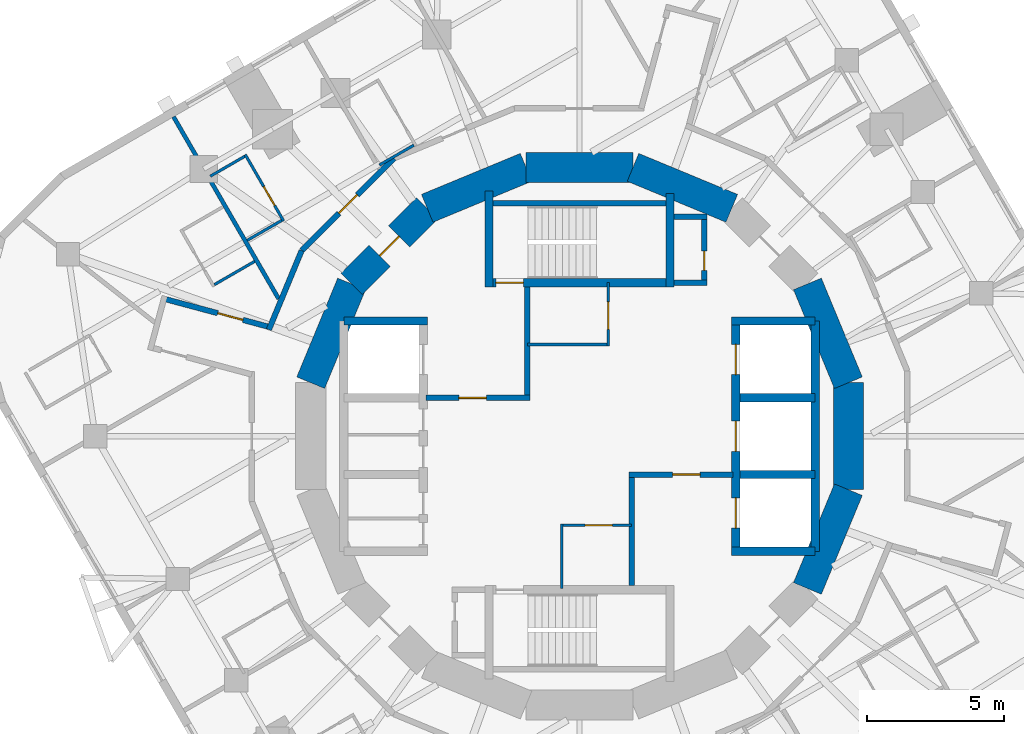
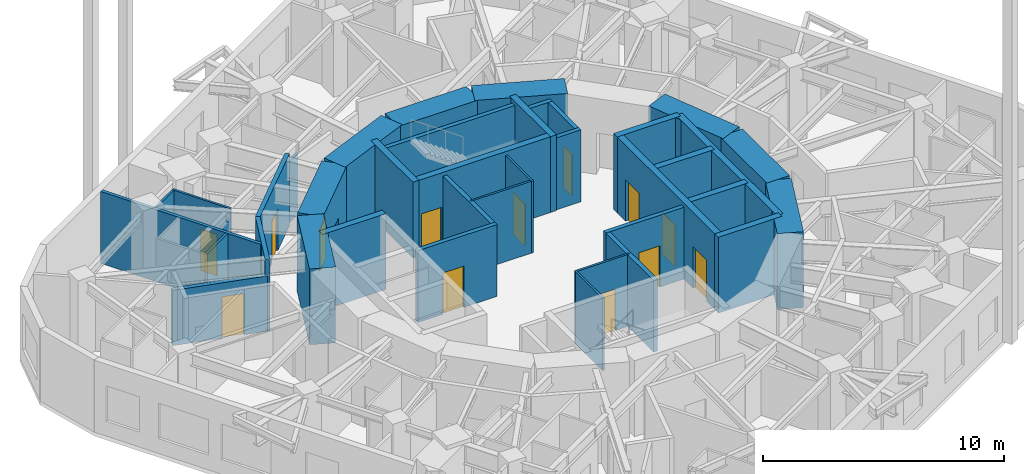
# One storey, part 6 of 10: 39 walls, 13 doors, 13 openings.
"""IFC4 building model written with IfcOpenShell, lengths in metres."""

from ifc_helpers import new_model, si_unit, direction, frame, frame_2d, origin, place, context, subcontext, project, spatial, rectangle, extrude, material, layer, layer_set, type_object, element, fill, save


model = new_model("IFC4")

# Units and contexts
model_context = context("Model", 3, precision=1e-05, world=origin(), true_north=direction((0.0, 1.0)))
body_context = subcontext(model_context, "Body", "Model", "MODEL_VIEW")
ifc_project = project(units=[si_unit("LENGTHUNIT", "METRE"), si_unit("AREAUNIT", "SQUARE_METRE"), si_unit("VOLUMEUNIT", "CUBIC_METRE"), si_unit("PLANEANGLEUNIT", "RADIAN"), si_unit("MASSUNIT", "GRAM", prefix="KILO")], contexts=[model_context])

# Site, building, storey
site_placement = place(None, origin())
site = spatial("IfcSite", under=ifc_project, at=site_placement, CompositionType="ELEMENT")
building_placement = place(site_placement, origin())
building = spatial("IfcBuilding", under=site, at=building_placement, Name="Nakasero Lantern House", CompositionType="ELEMENT")
storey_placement = place(building_placement, frame((0.0, 0.0, 223.10009765625)))
storey = spatial("IfcBuildingStorey", under=building, at=storey_placement, Name="L54", CompositionType="ELEMENT", Elevation=223.10009765625)

# Wall, openings, doors
ifc_material_1 = material(Name="Concrete C50/60", Category="concrete")
ifc_layer_1 = layer(ifc_material_1, 0.300048828125)
ifc_layer_set_1 = layer_set([ifc_layer_1], Name="Core inner wall 300")
wall_type_1 = type_object("IfcWallType", Name="Core inner wall 300", PredefinedType="SHEAR", material=ifc_layer_set_1)
wall_1_placement = place(storey_placement, frame((5.699951171875, -4.199951171875, 0.0), z_axis=(0.0, 0.0, 1.0), x_axis=(0.0, 1.0, 0.0)))
wall_1 = element("IfcWall", 1, at=wall_1_placement, inside=storey, type_object=wall_type_1, Name="Core inner wall L54 LE", PredefinedType="SHEAR", context=body_context, shape_type="SweptSolid", body=[
    extrude(rectangle(XDim=8.39990234375, YDim=0.300048828125, at=frame_2d((4.199951171875, 0.0))), origin(), (0.0, 0.0, 1.0), 3.849853515625),
])
opening_1_placement = place(wall_1_placement, frame((0.85009765625, 0.0, 0.0)))
opening_1 = element("IfcOpeningElement", 2, at=opening_1_placement, cuts=wall_1, Name="Opening LD", PredefinedType="OPENING", context=body_context, shape_type="SweptSolid", body=[
    extrude(rectangle(XDim=1.10009765625, YDim=2.10009765625, at=frame_2d((0.550048828125, 1.050048828125))), frame((0.0, 0.169921875, 0.0), z_axis=(0.0, -1.0, 0.0), x_axis=(1.0, 0.0, 0.0)), (0.0, 0.0, 1.0), 0.340087890625),
])
opening_2_placement = place(wall_1_placement, frame((3.64990234375, 0.0, 0.0)))
opening_2 = element("IfcOpeningElement", 3, at=opening_2_placement, cuts=wall_1, Name="Opening LD", PredefinedType="OPENING", context=body_context, shape_type="SweptSolid", body=[
    extrude(rectangle(XDim=1.10009765625, YDim=2.10009765625, at=frame_2d((0.550048828125, 1.050048828125))), frame((0.0, 0.169921875, 0.0), z_axis=(0.0, -1.0, 0.0), x_axis=(1.0, 0.0, 0.0)), (0.0, 0.0, 1.0), 0.340087890625),
])
opening_3_placement = place(wall_1_placement, frame((6.449951171875, 0.0, 0.0)))
opening_3 = element("IfcOpeningElement", 4, at=opening_3_placement, cuts=wall_1, Name="Opening LD", PredefinedType="OPENING", context=body_context, shape_type="SweptSolid", body=[
    extrude(rectangle(XDim=1.10009765625, YDim=2.10009765625, at=frame_2d((0.550048828125, 1.050048828125))), frame((0.0, 0.169921875, 0.0), z_axis=(0.0, -1.0, 0.0), x_axis=(1.0, 0.0, 0.0)), (0.0, 0.0, 1.0), 0.340087890625),
])
ifc_material_2 = material(Name="Steel S355", Category="steel")
door_type_1 = type_object("IfcDoorType", Name="Lift landing door E120 1100", OperationType="SLIDING_TO_LEFT", PredefinedType="DOOR", material=ifc_material_2)
door_1_placement = place(opening_1_placement, origin())
door_1 = element("IfcDoor", 5, at=door_1_placement, inside=storey, type_object=door_type_1, Name="Lift landing door LE1", OperationType="SLIDING_TO_LEFT", OverallHeight=2.10009765625, OverallWidth=1.10009765625, PredefinedType="DOOR", context=body_context, shape_type="SweptSolid", body=[
    extrude(rectangle(XDim=1.10009765625, YDim=2.10009765625, at=frame_2d((0.550048828125, 1.050048828125))), frame((0.0, 0.02490234375, 0.0), z_axis=(0.0, -1.0, 0.0), x_axis=(1.0, 0.0, 0.0)), (0.0, 0.0, 1.0), 0.050048828125),
])
fill(opening_1, door_1)
door_2_placement = place(opening_2_placement, origin())
door_2 = element("IfcDoor", 6, at=door_2_placement, inside=storey, type_object=door_type_1, Name="Lift landing door LE2", OperationType="SLIDING_TO_LEFT", OverallHeight=2.10009765625, OverallWidth=1.10009765625, PredefinedType="DOOR", context=body_context, shape_type="SweptSolid", body=[
    extrude(rectangle(XDim=1.10009765625, YDim=2.10009765625, at=frame_2d((0.550048828125, 1.050048828125))), frame((0.0, 0.02490234375, 0.0), z_axis=(0.0, -1.0, 0.0), x_axis=(1.0, 0.0, 0.0)), (0.0, 0.0, 1.0), 0.050048828125),
])
fill(opening_2, door_2)
door_3_placement = place(opening_3_placement, origin())
door_3 = element("IfcDoor", 7, at=door_3_placement, inside=storey, type_object=door_type_1, Name="Lift landing door LE3", OperationType="SLIDING_TO_LEFT", OverallHeight=2.10009765625, OverallWidth=1.10009765625, PredefinedType="DOOR", context=body_context, shape_type="SweptSolid", body=[
    extrude(rectangle(XDim=1.10009765625, YDim=2.10009765625, at=frame_2d((0.550048828125, 1.050048828125))), frame((0.0, 0.02490234375, 0.0), z_axis=(0.0, -1.0, 0.0), x_axis=(1.0, 0.0, 0.0)), (0.0, 0.0, 1.0), 0.050048828125),
])
fill(opening_3, door_3)

# Walls
for number, where, z_axis, x_axis, name in (
    (8, (-8.60009765625, 4.199951171875, 0.0), (0.0, 0.0, 1.0), (1.0, 0.0, 0.0), "Core inner wall L54 LWN"),
    (9, (5.550048828125, 4.199951171875, 0.0), (0.0, 0.0, 1.0), (1.0, 0.0, 0.0), "Core inner wall L54 LEN"),
    (10, (5.550048828125, -4.199951171875, 0.0), (0.0, 0.0, 1.0), (1.0, 0.0, 0.0), "Core inner wall L54 LES"),
):
    element("IfcWall", number, at=place(storey_placement, frame(where, z_axis=z_axis, x_axis=x_axis)), inside=storey, type_object=wall_type_1, Name=name, PredefinedType="SHEAR", context=body_context, shape_type="SweptSolid", body=[
        extrude(rectangle(XDim=3.050048828125, YDim=0.300048828125, at=frame_2d((1.52490234375, 0.0))), origin(), (0.0, 0.0, 1.0), 3.849853515625),
    ])
wall_2_placement = place(storey_placement, frame((8.60009765625, -4.199951171875, 0.0), z_axis=(0.0, 0.0, 1.0), x_axis=(0.0, 1.0, 0.0)))
element("IfcWall", 11, at=wall_2_placement, inside=storey, type_object=wall_type_1, Name="Core inner wall L54 LEB", PredefinedType="SHEAR", context=body_context, shape_type="SweptSolid", body=[
    extrude(rectangle(XDim=8.39990234375, YDim=0.300048828125, at=frame_2d((4.199951171875, 0.0))), origin(), (0.0, 0.0, 1.0), 3.849853515625),
])
for number, where, z_axis, x_axis, name in (
    (12, (5.85009765625, -1.39990234375, 0.0), (0.0, 0.0, 1.0), (1.0, 0.0, 0.0), "Core inner wall L54 LE1"),
    (13, (5.85009765625, 1.39990234375, 0.0), (0.0, 0.0, 1.0), (1.0, 0.0, 0.0), "Core inner wall L54 LE2"),
):
    element("IfcWall", number, at=place(storey_placement, frame(where, z_axis=z_axis, x_axis=x_axis)), inside=storey, type_object=wall_type_1, Name=name, PredefinedType="SHEAR", context=body_context, shape_type="SweptSolid", body=[
        extrude(rectangle(XDim=2.75, YDim=0.300048828125, at=frame_2d((1.375, 0.0))), origin(), (0.0, 0.0, 1.0), 3.849853515625),
    ])

# Wall, opening, door
wall_3_placement = place(storey_placement, frame((-3.449951171875, 5.60009765625, 0.0), z_axis=(0.0, 0.0, 1.0), x_axis=(1.0, 0.0, 0.0)))
wall_3 = element("IfcWall", 14, at=wall_3_placement, inside=storey, type_object=wall_type_1, Name="Core inner wall L54 SN", PredefinedType="SHEAR", context=body_context, shape_type="SweptSolid", body=[
    extrude(rectangle(XDim=6.89990234375, YDim=0.300048828125, at=frame_2d((3.449951171875, 0.0))), origin(), (0.0, 0.0, 1.0), 3.849853515625),
])
opening_4_placement = place(wall_3_placement, frame((0.39990234375, 0.0, 0.0)))
opening_4 = element("IfcOpeningElement", 15, at=opening_4_placement, cuts=wall_3, Name="Opening D05", PredefinedType="OPENING", context=body_context, shape_type="SweptSolid", body=[
    extrude(rectangle(XDim=1.0, YDim=2.10009765625, at=frame_2d((0.5, 1.050048828125))), frame((0.0, 0.169921875, 0.0), z_axis=(0.0, -1.0, 0.0), x_axis=(1.0, 0.0, 0.0)), (0.0, 0.0, 1.0), 0.340087890625),
])
ifc_material_3 = material(Name="Timber C24", Category="wood")
door_type_2 = type_object("IfcDoorType", Name="Core door FD60S 1000", OperationType="SINGLE_SWING_LEFT", PredefinedType="DOOR", material=ifc_material_3)
door_4_placement = place(opening_4_placement, origin())
door_4 = element("IfcDoor", 16, at=door_4_placement, inside=storey, type_object=door_type_2, Name="Door L54 D-ST1", OperationType="SINGLE_SWING_LEFT", OverallHeight=2.10009765625, OverallWidth=1.0, PredefinedType="DOOR", context=body_context, shape_type="SweptSolid", body=[
    extrude(rectangle(XDim=1.0, YDim=2.10009765625, at=frame_2d((0.5, 1.050048828125))), frame((0.0, 0.02490234375, 0.0), z_axis=(0.0, -1.0, 0.0), x_axis=(1.0, 0.0, 0.0)), (0.0, 0.0, 1.0), 0.050048828125),
])
fill(opening_4, door_4)

# Walls
wall_4_placement = place(storey_placement, frame((-3.300048828125, 5.449951171875, 0.0), z_axis=(0.0, 0.0, 1.0), x_axis=(0.0, 1.0, 0.0)))
element("IfcWall", 17, at=wall_4_placement, inside=storey, type_object=wall_type_1, Name="Core inner wall L54 SNW", PredefinedType="SHEAR", context=body_context, shape_type="SweptSolid", body=[
    extrude(rectangle(XDim=3.5, YDim=0.300048828125, at=frame_2d((1.75, 0.0))), origin(), (0.0, 0.0, 1.0), 3.849853515625),
])
wall_5_placement = place(storey_placement, frame((3.300048828125, 5.449951171875, 0.0), z_axis=(0.0, 0.0, 1.0), x_axis=(0.0, 1.0, 0.0)))
element("IfcWall", 18, at=wall_5_placement, inside=storey, type_object=wall_type_1, Name="Core inner wall L54 SNE", PredefinedType="SHEAR", context=body_context, shape_type="SweptSolid", body=[
    extrude(rectangle(XDim=3.400146484375, YDim=0.300048828125, at=frame_2d((1.7001953125, 0.0))), origin(), (0.0, 0.0, 1.0), 3.849853515625),
])
ifc_material_4 = material(Name="Blockwork", Category="masonry")
ifc_layer_2 = layer(ifc_material_4, 0.10009765625)
ifc_layer_set_2 = layer_set([ifc_layer_2], Name="Core room wall 100")
wall_type_2 = type_object("IfcWallType", Name="Core room wall 100", PredefinedType="PARTITIONING", material=ifc_layer_set_2)
wall_6_placement = place(storey_placement, frame((-1.89990234375, 3.35009765625, 0.0), z_axis=(0.0, 0.0, 1.0), x_axis=(1.0, 0.0, 0.0)))
element("IfcWall", 19, at=wall_6_placement, inside=storey, type_object=wall_type_2, Name="Core room wall L54 CR-NES", PredefinedType="PARTITIONING", context=body_context, shape_type="SweptSolid", body=[
    extrude(rectangle(XDim=3.0, YDim=0.10009765625, at=frame_2d((1.5, 0.0))), origin(), (0.0, 0.0, 1.0), 3.64990234375),
])

# Wall, opening, door
wall_7_placement = place(storey_placement, frame((1.050048828125, 3.300048828125, 0.0), z_axis=(0.0, 0.0, 1.0), x_axis=(0.0, 1.0, 0.0)))
wall_7 = element("IfcWall", 20, at=wall_7_placement, inside=storey, type_object=wall_type_2, Name="Core room wall L54 CR-NEE", PredefinedType="PARTITIONING", context=body_context, shape_type="SweptSolid", body=[
    extrude(rectangle(XDim=2.300048828125, YDim=0.10009765625, at=frame_2d((1.14990234375, 0.0))), origin(), (0.0, 0.0, 1.0), 3.64990234375),
])
opening_5_placement = place(wall_7_placement, frame((0.60009765625, 0.0, 0.0)))
opening_5 = element("IfcOpeningElement", 21, at=opening_5_placement, cuts=wall_7, Name="Opening D13", PredefinedType="OPENING", context=body_context, shape_type="SweptSolid", body=[
    extrude(rectangle(XDim=1.0, YDim=2.10009765625, at=frame_2d((0.5, 1.050048828125))), frame((0.0, 0.070068359375, 0.0), z_axis=(0.0, -1.0, 0.0), x_axis=(1.0, 0.0, 0.0)), (0.0, 0.0, 1.0), 0.14013671875),
])
ifc_material_5 = material(Name="Steel S355", Category="steel")
door_type_3 = type_object("IfcDoorType", Name="Plant room door FD60 1000", OperationType="SINGLE_SWING_LEFT", PredefinedType="DOOR", material=ifc_material_5)
door_5_placement = place(opening_5_placement, origin())
door_5 = element("IfcDoor", 22, at=door_5_placement, inside=storey, type_object=door_type_3, Name="Door L54 D-CR-NE", OperationType="SINGLE_SWING_LEFT", OverallHeight=2.10009765625, OverallWidth=1.0, PredefinedType="DOOR", context=body_context, shape_type="SweptSolid", body=[
    extrude(rectangle(XDim=1.0, YDim=2.10009765625, at=frame_2d((0.5, 1.050048828125))), frame((0.0, 0.02490234375, 0.0), z_axis=(0.0, -1.0, 0.0), x_axis=(1.0, 0.0, 0.0)), (0.0, 0.0, 1.0), 0.050048828125),
])
fill(opening_5, door_5)

wall_8_placement = place(storey_placement, frame((-0.699951171875, -3.25, 0.0), z_axis=(0.0, 0.0, 1.0), x_axis=(1.0, 0.0, 0.0)))
wall_8 = element("IfcWall", 23, at=wall_8_placement, inside=storey, type_object=wall_type_2, Name="Core room wall L54 CR-SWN", PredefinedType="PARTITIONING", context=body_context, shape_type="SweptSolid", body=[
    extrude(rectangle(XDim=2.599853515625, YDim=0.10009765625, at=frame_2d((1.2998046875, 0.0))), origin(), (0.0, 0.0, 1.0), 3.64990234375),
])
opening_6_placement = place(wall_8_placement, frame((0.89990234375, 0.0, 0.0)))
opening_6 = element("IfcOpeningElement", 24, at=opening_6_placement, cuts=wall_8, Name="Opening D07", PredefinedType="OPENING", context=body_context, shape_type="SweptSolid", body=[
    extrude(rectangle(XDim=1.0, YDim=2.10009765625, at=frame_2d((0.5, 1.050048828125))), frame((0.0, 0.070068359375, 0.0), z_axis=(0.0, -1.0, 0.0), x_axis=(1.0, 0.0, 0.0)), (0.0, 0.0, 1.0), 0.14013671875),
])
ifc_material_6 = material(Name="Timber C24", Category="wood")
door_type_4 = type_object("IfcDoorType", Name="Room door FD30S 1000", OperationType="SINGLE_SWING_LEFT", PredefinedType="DOOR", material=ifc_material_6)
door_6_placement = place(opening_6_placement, origin())
door_6 = element("IfcDoor", 25, at=door_6_placement, inside=storey, type_object=door_type_4, Name="Door L54 D-CR-SW", OperationType="SINGLE_SWING_RIGHT", OverallHeight=2.10009765625, OverallWidth=1.0, PredefinedType="DOOR", context=body_context, shape_type="SweptSolid", body=[
    extrude(rectangle(XDim=1.0, YDim=2.10009765625, at=frame_2d((0.5, 1.050048828125))), frame((0.0, 0.02490234375, 0.0), z_axis=(0.0, -1.0, 0.0), x_axis=(1.0, 0.0, 0.0)), (0.0, 0.0, 1.0), 0.050048828125),
])
fill(opening_6, door_6)

# Walls
wall_9_placement = place(storey_placement, frame((-0.64990234375, -5.550048828125, 0.0), z_axis=(0.0, 0.0, 1.0), x_axis=(0.0, 1.0, 0.0)))
element("IfcWall", 26, at=wall_9_placement, inside=storey, type_object=wall_type_2, Name="Core room wall L54 CR-SWW", PredefinedType="PARTITIONING", context=body_context, shape_type="SweptSolid", body=[
    extrude(rectangle(XDim=2.35009765625, YDim=0.10009765625, at=frame_2d((1.175048828125, 0.0))), origin(), (0.0, 0.0, 1.0), 3.64990234375),
])
ifc_material_7 = material(Name="Concrete C50/60", Category="concrete")
ifc_layer_3 = layer(ifc_material_7, 1.10009765625)
ifc_layer_set_3 = layer_set([ifc_layer_3], Name="Core wall 1100")
wall_type_3 = type_object("IfcWallType", Name="Core wall 1100", PredefinedType="SHEAR", material=ifc_layer_set_3)
for number, where, z_axis, x_axis, name in (
    (27, (9.807861328125, 1.950927734375, 0.0), (0.0, 0.0, 1.0), (-0.382690736062, 0.923876507187, 0.0), "Core wall L54 facet 1"),
    (28, (5.5556640625, 8.314697265625, 0.0), (0.0, 0.0, 1.0), (-0.923876507187, 0.382690736062, 0.0), "Core wall L54 facet 3"),
    (29, (1.950927734375, 9.807861328125, 0.0), (0.0, 0.0, 1.0), (-1.0, 0.0, 0.0), "Core wall L54 facet 4"),
    (30, (-1.950927734375, 9.807861328125, 0.0), (0.0, 0.0, 1.0), (-0.923876507187, -0.382690736062, 0.0), "Core wall L54 facet 5"),
):
    element("IfcWall", number, at=place(storey_placement, frame(where, z_axis=z_axis, x_axis=x_axis)), inside=storey, type_object=wall_type_3, Name=name, PredefinedType="SHEAR", context=body_context, shape_type="SweptSolid", body=[
        extrude(rectangle(XDim=3.90185546875, YDim=1.10009765625, at=frame_2d((1.950927734375, 0.0))), origin(), (0.0, 0.0, 1.0), 3.849853515625),
    ])

# Wall, opening, door
wall_10_placement = place(storey_placement, frame((-5.5556640625, 8.314697265625, 0.0), z_axis=(0.0, 0.0, 1.0), x_axis=(-0.707106781187, -0.707106781187, 0.0)))
wall_10 = element("IfcWall", 31, at=wall_10_placement, inside=storey, type_object=wall_type_3, Name="Core wall L54 facet 6", PredefinedType="SHEAR", context=body_context, shape_type="SweptSolid", body=[
    extrude(rectangle(XDim=3.90185546875, YDim=1.10009765625, at=frame_2d((1.950927734375, 0.0))), origin(), (0.0, 0.0, 1.0), 3.849853515625),
])
opening_7_placement = place(wall_10_placement, frame((1.450927734375, 0.0, 0.0)))
opening_7 = element("IfcOpeningElement", 32, at=opening_7_placement, cuts=wall_10, Name="Opening D05", PredefinedType="OPENING", context=body_context, shape_type="SweptSolid", body=[
    extrude(rectangle(XDim=1.0, YDim=2.10009765625, at=frame_2d((0.5, 1.050048828125))), frame((0.0, 0.570068359375, 0.0), z_axis=(0.0, -1.0, 0.0), x_axis=(1.0, 0.0, 0.0)), (0.0, 0.0, 1.0), 1.14013671875),
])
door_7_placement = place(opening_7_placement, origin())
door_7 = element("IfcDoor", 33, at=door_7_placement, inside=storey, type_object=door_type_2, Name="Door L54 D-CORE06", OperationType="SINGLE_SWING_LEFT", OverallHeight=2.10009765625, OverallWidth=1.0, PredefinedType="DOOR", context=body_context, shape_type="SweptSolid", body=[
    extrude(rectangle(XDim=1.0, YDim=2.10009765625, at=frame_2d((0.5, 1.050048828125))), frame((0.0, 0.02490234375, 0.0), z_axis=(0.0, -1.0, 0.0), x_axis=(1.0, 0.0, 0.0)), (0.0, 0.0, 1.0), 0.050048828125),
])
fill(opening_7, door_7)

# Walls
for number, where, z_axis, x_axis, name in (
    (34, (-8.314697265625, 5.5556640625, 0.0), (0.0, 0.0, 1.0), (-0.382690736062, -0.923876507187, 0.0), "Core wall L54 facet 7"),
    (35, (8.314697265625, -5.5556640625, 0.0), (0.0, 0.0, 1.0), (0.382690736062, 0.923876507187, 0.0), "Core wall L54 facet 15"),
    (36, (9.807861328125, -1.950927734375, 0.0), (0.0, 0.0, 1.0), (0.0, 1.0, 0.0), "Core wall L54 facet 16"),
):
    element("IfcWall", number, at=place(storey_placement, frame(where, z_axis=z_axis, x_axis=x_axis)), inside=storey, type_object=wall_type_3, Name=name, PredefinedType="SHEAR", context=body_context, shape_type="SweptSolid", body=[
        extrude(rectangle(XDim=3.90185546875, YDim=1.10009765625, at=frame_2d((1.950927734375, 0.0))), origin(), (0.0, 0.0, 1.0), 3.849853515625),
    ])
ifc_material_8 = material(Name="Blockwork", Category="masonry")
ifc_layer_4 = layer(ifc_material_8, 0.199951171875)
ifc_layer_set_4 = layer_set([ifc_layer_4], Name="Corridor wall 200")
wall_type_4 = type_object("IfcWallType", Name="Corridor wall 200", PredefinedType="PARTITIONING", material=ifc_layer_set_4)
wall_11_placement = place(storey_placement, frame((-11.33349609375, 3.8857421875, 0.0), z_axis=(0.0, 0.0, 1.0), x_axis=(0.382634616682, 0.923899751118, 0.0)))
element("IfcWall", 37, at=wall_11_placement, inside=storey, type_object=wall_type_4, Name="Corridor wall L54 RC09a", PredefinedType="PARTITIONING", context=body_context, shape_type="SweptSolid", body=[
    extrude(rectangle(XDim=3.125732421875, YDim=0.199951171875, at=frame_2d((1.56298828125, 0.0))), origin(), (0.0, 0.0, 1.0), 3.64990234375),
])

# Wall, opening, door
wall_12_placement = place(storey_placement, frame((-10.137451171875, 6.773681640625, 0.0), z_axis=(0.0, 0.0, 1.0), x_axis=(0.707106781187, 0.707106781187, 0.0)))
wall_12 = element("IfcWall", 38, at=wall_12_placement, inside=storey, type_object=wall_type_4, Name="Corridor wall L54 RC10a", PredefinedType="PARTITIONING", context=body_context, shape_type="SweptSolid", body=[
    extrude(rectangle(XDim=4.757080078125, YDim=0.199951171875, at=frame_2d((2.37841796875, 0.0))), origin(), (0.0, 0.0, 1.0), 3.64990234375),
])
opening_8_placement = place(wall_12_placement, frame((1.919921875, 0.0, 0.0)))
opening_8 = element("IfcOpeningElement", 39, at=opening_8_placement, cuts=wall_12, Name="Opening D01", PredefinedType="OPENING", context=body_context, shape_type="SweptSolid", body=[
    extrude(rectangle(XDim=0.949951171875, YDim=2.10009765625, at=frame_2d((0.47509765625, 1.050048828125))), frame((0.0, 0.119873046875, 0.0), z_axis=(0.0, -1.0, 0.0), x_axis=(1.0, 0.0, 0.0)), (0.0, 0.0, 1.0), 0.239990234375),
])
ifc_material_9 = material(Name="Timber C24", Category="wood")
door_type_5 = type_object("IfcDoorType", Name="Bedroom door FD30S 950", OperationType="SINGLE_SWING_LEFT", PredefinedType="DOOR", material=ifc_material_9)
door_8_placement = place(opening_8_placement, origin())
door_8 = element("IfcDoor", 40, at=door_8_placement, inside=storey, type_object=door_type_5, Name="Door L54 D1-04", OperationType="SINGLE_SWING_RIGHT", OverallHeight=2.10009765625, OverallWidth=0.949951171875, PredefinedType="DOOR", context=body_context, shape_type="SweptSolid", body=[
    extrude(rectangle(XDim=0.949951171875, YDim=2.10009765625, at=frame_2d((0.47509765625, 1.050048828125))), frame((0.0, 0.02490234375, 0.0), z_axis=(0.0, -1.0, 0.0), x_axis=(1.0, 0.0, 0.0)), (0.0, 0.0, 1.0), 0.050048828125),
])
fill(opening_8, door_8)

wall_13_placement = place(storey_placement, frame((-11.294921875, 3.97900390625, 0.0), z_axis=(0.0, 0.0, 1.0), x_axis=(-0.965936102951, 0.258780689033, 0.0)))
wall_13 = element("IfcWall", 41, at=wall_13_placement, inside=storey, type_object=wall_type_4, Name="Corridor wall L54 SP1a", PredefinedType="PARTITIONING", context=body_context, shape_type="SweptSolid", body=[
    extrude(rectangle(XDim=4.10400390625, YDim=0.199951171875, at=frame_2d((2.052001953125, 0.0))), origin(), (0.0, 0.0, 1.0), 2.80908203125),
])
opening_9_placement = place(wall_13_placement, frame((1.02001953125, 0.0, 0.0)))
opening_9 = element("IfcOpeningElement", 42, at=opening_9_placement, cuts=wall_13, Name="Opening D01", PredefinedType="OPENING", context=body_context, shape_type="SweptSolid", body=[
    extrude(rectangle(XDim=0.949951171875, YDim=2.10009765625, at=frame_2d((0.47509765625, 1.050048828125))), frame((0.0, 0.119873046875, 0.0), z_axis=(0.0, -1.0, 0.0), x_axis=(1.0, 0.0, 0.0)), (0.0, 0.0, 1.0), 0.239990234375),
])
door_9_placement = place(opening_9_placement, origin())
door_9 = element("IfcDoor", 43, at=door_9_placement, inside=storey, type_object=door_type_5, Name="Door L54 D1-06", OperationType="SINGLE_SWING_LEFT", OverallHeight=2.10009765625, OverallWidth=0.949951171875, PredefinedType="DOOR", context=body_context, shape_type="SweptSolid", body=[
    extrude(rectangle(XDim=0.949951171875, YDim=2.10009765625, at=frame_2d((0.47509765625, 1.050048828125))), frame((0.0, 0.02490234375, 0.0), z_axis=(0.0, -1.0, 0.0), x_axis=(1.0, 0.0, 0.0)), (0.0, 0.0, 1.0), 0.050048828125),
])
fill(opening_9, door_9)

# Wall
ifc_material_10 = material(Name="Blockwork", Category="masonry")
ifc_layer_5 = layer(ifc_material_10, 0.10009765625)
ifc_layer_set_5 = layer_set([ifc_layer_5], Name="En-suite wall 100")
wall_type_5 = type_object("IfcWallType", Name="En-suite wall 100", PredefinedType="PARTITIONING", material=ifc_layer_set_5)
wall_14_placement = place(storey_placement, frame((-6.044677734375, 10.617919921875, 0.0), z_axis=(0.0, 0.0, 1.0), x_axis=(-0.866090267075, -0.499887636653, 0.0)))
element("IfcWall", 44, at=wall_14_placement, inside=storey, type_object=wall_type_5, Name="En-suite wall L54 EI1-03", PredefinedType="PARTITIONING", context=body_context, shape_type="SweptSolid", body=[
    extrude(rectangle(XDim=1.449951171875, YDim=0.10009765625, at=frame_2d((0.72509765625, 0.0))), origin(), (0.0, 0.0, 1.0), 3.11328125),
])

# Wall, opening, door
wall_15_placement = place(storey_placement, frame((-10.797607421875, 7.853271484375, 0.0), z_axis=(0.0, 0.0, 1.0), x_axis=(-0.500049511043, 0.865996816683, 0.0)))
wall_15 = element("IfcWall", 45, at=wall_15_placement, inside=storey, type_object=wall_type_5, Name="En-suite wall L54 ES1-04", PredefinedType="PARTITIONING", context=body_context, shape_type="SweptSolid", body=[
    extrude(rectangle(XDim=2.800048828125, YDim=0.10009765625, at=frame_2d((1.39990234375, 0.0))), origin(), (0.0, 0.0, 1.0), 3.64990234375),
])
opening_10_placement = place(wall_15_placement, frame((0.64990234375, 0.0, 0.0)))
opening_10 = element("IfcOpeningElement", 46, at=opening_10_placement, cuts=wall_15, Name="Opening D02", PredefinedType="OPENING", context=body_context, shape_type="SweptSolid", body=[
    extrude(rectangle(XDim=0.800048828125, YDim=2.10009765625, at=frame_2d((0.39990234375, 1.050048828125))), frame((0.0, 0.070068359375, 0.0), z_axis=(0.0, -1.0, 0.0), x_axis=(1.0, 0.0, 0.0)), (0.0, 0.0, 1.0), 0.14013671875),
])
ifc_material_11 = material(Name="Timber C24", Category="wood")
door_type_6 = type_object("IfcDoorType", Name="En-suite door 800", OperationType="SINGLE_SWING_RIGHT", PredefinedType="DOOR", material=ifc_material_11)
door_10_placement = place(opening_10_placement, origin())
door_10 = element("IfcDoor", 47, at=door_10_placement, inside=storey, type_object=door_type_6, Name="Door L54 DE1-04", OperationType="SINGLE_SWING_LEFT", OverallHeight=2.10009765625, OverallWidth=0.800048828125, PredefinedType="DOOR", context=body_context, shape_type="SweptSolid", body=[
    extrude(rectangle(XDim=0.800048828125, YDim=2.10009765625, at=frame_2d((0.39990234375, 1.050048828125))), frame((0.0, 0.02490234375, 0.0), z_axis=(0.0, -1.0, 0.0), x_axis=(1.0, 0.0, 0.0)), (0.0, 0.0, 1.0), 0.050048828125),
])
fill(opening_10, door_10)

# Walls
wall_16_placement = place(storey_placement, frame((-12.216064453125, 10.2099609375, 0.0), z_axis=(0.0, 0.0, 1.0), x_axis=(-0.865975268738, -0.500086826395, 0.0)))
element("IfcWall", 48, at=wall_16_placement, inside=storey, type_object=wall_type_5, Name="En-suite wall L54 EE1-04", PredefinedType="PARTITIONING", context=body_context, shape_type="SweptSolid", body=[
    extrude(rectangle(XDim=1.449951171875, YDim=0.10009765625, at=frame_2d((0.72509765625, 0.0))), origin(), (0.0, 0.0, 1.0), 3.64990234375),
])
wall_17_placement = place(storey_placement, frame((-10.865966796875, 7.87158203125, 0.0), z_axis=(0.0, 0.0, 1.0), x_axis=(-0.86604818453, -0.499960540515, 0.0)))
element("IfcWall", 49, at=wall_17_placement, inside=storey, type_object=wall_type_5, Name="En-suite wall L54 EI1-04", PredefinedType="PARTITIONING", context=body_context, shape_type="SweptSolid", body=[
    extrude(rectangle(XDim=1.44970703125, YDim=0.10009765625, at=frame_2d((0.724853515625, 0.0))), origin(), (0.0, 0.0, 1.0), 3.11328125),
])
wall_18_placement = place(storey_placement, frame((-11.8515625, 6.37890625, 0.0), z_axis=(0.0, 0.0, 1.0), x_axis=(-0.865989465428, -0.500062241894, 0.0)))
element("IfcWall", 50, at=wall_18_placement, inside=storey, type_object=wall_type_5, Name="En-suite wall L54 EI1-06", PredefinedType="PARTITIONING", context=body_context, shape_type="SweptSolid", body=[
    extrude(rectangle(XDim=1.699951171875, YDim=0.10009765625, at=frame_2d((0.85009765625, 0.0))), origin(), (0.0, 0.0, 1.0), 3.64990234375),
])

# Wall, opening, door
ifc_material_12 = material(Name="Blockwork", Category="masonry")
ifc_layer_6 = layer(ifc_material_12, 0.199951171875)
ifc_layer_set_6 = layer_set([ifc_layer_6], Name="Fire lobby wall 200")
wall_type_6 = type_object("IfcWallType", Name="Fire lobby wall 200", PredefinedType="PARTITIONING", material=ifc_layer_set_6)
wall_19_placement = place(storey_placement, frame((-5.60009765625, 1.39990234375, 0.0), z_axis=(0.0, 0.0, 1.0), x_axis=(1.0, 0.0, 0.0)))
wall_19 = element("IfcWall", 51, at=wall_19_placement, inside=storey, type_object=wall_type_6, Name="Fire lobby wall L54 W-FL1S", PredefinedType="PARTITIONING", context=body_context, shape_type="SweptSolid", body=[
    extrude(rectangle(XDim=3.800048828125, YDim=0.199951171875, at=frame_2d((1.89990234375, 0.0))), origin(), (0.0, 0.0, 1.0), 3.64990234375),
])
opening_11_placement = place(wall_19_placement, frame((1.199951171875, 0.0, 0.0)))
opening_11 = element("IfcOpeningElement", 52, at=opening_11_placement, cuts=wall_19, Name="Opening D05", PredefinedType="OPENING", context=body_context, shape_type="SweptSolid", body=[
    extrude(rectangle(XDim=1.0, YDim=2.10009765625, at=frame_2d((0.5, 1.050048828125))), frame((0.0, 0.119873046875, 0.0), z_axis=(0.0, -1.0, 0.0), x_axis=(1.0, 0.0, 0.0)), (0.0, 0.0, 1.0), 0.239990234375),
])
door_11_placement = place(opening_11_placement, origin())
door_11 = element("IfcDoor", 53, at=door_11_placement, inside=storey, type_object=door_type_2, Name="Door L54 D-FL1", OperationType="SINGLE_SWING_LEFT", OverallHeight=2.10009765625, OverallWidth=1.0, PredefinedType="DOOR", context=body_context, shape_type="SweptSolid", body=[
    extrude(rectangle(XDim=1.0, YDim=2.10009765625, at=frame_2d((0.5, 1.050048828125))), frame((0.0, 0.02490234375, 0.0), z_axis=(0.0, -1.0, 0.0), x_axis=(1.0, 0.0, 0.0)), (0.0, 0.0, 1.0), 0.050048828125),
])
fill(opening_11, door_11)

# Wall
wall_20_placement = place(storey_placement, frame((-1.89990234375, 1.5, 0.0), z_axis=(0.0, 0.0, 1.0), x_axis=(0.0, 1.0, 0.0)))
element("IfcWall", 54, at=wall_20_placement, inside=storey, type_object=wall_type_6, Name="Fire lobby wall L54 W-FL1E", PredefinedType="PARTITIONING", context=body_context, shape_type="SweptSolid", body=[
    extrude(rectangle(XDim=3.949951171875, YDim=0.199951171875, at=frame_2d((1.97509765625, 0.0))), origin(), (0.0, 0.0, 1.0), 3.64990234375),
])

# Wall, opening, door
wall_21_placement = place(storey_placement, frame((5.60009765625, -1.39990234375, 0.0), z_axis=(0.0, 0.0, 1.0), x_axis=(-1.0, 0.0, 0.0)))
wall_21 = element("IfcWall", 55, at=wall_21_placement, inside=storey, type_object=wall_type_6, Name="Fire lobby wall L54 W-FL2N", PredefinedType="PARTITIONING", context=body_context, shape_type="SweptSolid", body=[
    extrude(rectangle(XDim=3.800048828125, YDim=0.199951171875, at=frame_2d((1.89990234375, 0.0))), origin(), (0.0, 0.0, 1.0), 3.64990234375),
])
opening_12_placement = place(wall_21_placement, frame((1.199951171875, 0.0, 0.0)))
opening_12 = element("IfcOpeningElement", 56, at=opening_12_placement, cuts=wall_21, Name="Opening D05", PredefinedType="OPENING", context=body_context, shape_type="SweptSolid", body=[
    extrude(rectangle(XDim=1.0, YDim=2.10009765625, at=frame_2d((0.5, 1.050048828125))), frame((0.0, 0.119873046875, 0.0), z_axis=(0.0, -1.0, 0.0), x_axis=(1.0, 0.0, 0.0)), (0.0, 0.0, 1.0), 0.239990234375),
])
door_12_placement = place(opening_12_placement, origin())
door_12 = element("IfcDoor", 57, at=door_12_placement, inside=storey, type_object=door_type_2, Name="Door L54 D-FL2", OperationType="SINGLE_SWING_LEFT", OverallHeight=2.10009765625, OverallWidth=1.0, PredefinedType="DOOR", context=body_context, shape_type="SweptSolid", body=[
    extrude(rectangle(XDim=1.0, YDim=2.10009765625, at=frame_2d((0.5, 1.050048828125))), frame((0.0, 0.02490234375, 0.0), z_axis=(0.0, -1.0, 0.0), x_axis=(1.0, 0.0, 0.0)), (0.0, 0.0, 1.0), 0.050048828125),
])
fill(opening_12, door_12)

# Wall
wall_22_placement = place(storey_placement, frame((1.89990234375, -1.5, 0.0), z_axis=(0.0, 0.0, 1.0), x_axis=(0.0, -1.0, 0.0)))
element("IfcWall", 58, at=wall_22_placement, inside=storey, type_object=wall_type_6, Name="Fire lobby wall L54 W-FL2W", PredefinedType="PARTITIONING", context=body_context, shape_type="SweptSolid", body=[
    extrude(rectangle(XDim=3.949951171875, YDim=0.199951171875, at=frame_2d((1.97509765625, 0.0))), origin(), (0.0, 0.0, 1.0), 3.64990234375),
])

# Wall, opening, door
wall_23_placement = place(storey_placement, frame((4.550048828125, 5.60009765625, 0.0), z_axis=(0.0, 0.0, 1.0), x_axis=(0.0, 1.0, 0.0)))
wall_23 = element("IfcWall", 59, at=wall_23_placement, inside=storey, type_object=wall_type_6, Name="Fire lobby wall L54 W-RS1E", PredefinedType="PARTITIONING", context=body_context, shape_type="SweptSolid", body=[
    extrude(rectangle(XDim=2.39990234375, YDim=0.199951171875, at=frame_2d((1.199951171875, 0.0))), origin(), (0.0, 0.0, 1.0), 3.64990234375),
])
opening_13_placement = place(wall_23_placement, frame((0.449951171875, 0.0, 0.0)))
opening_13 = element("IfcOpeningElement", 60, at=opening_13_placement, cuts=wall_23, Name="Opening D06", PredefinedType="OPENING", context=body_context, shape_type="SweptSolid", body=[
    extrude(rectangle(XDim=0.699951171875, YDim=2.10009765625, at=frame_2d((0.35009765625, 1.050048828125))), frame((0.0, 0.119873046875, 0.0), z_axis=(0.0, -1.0, 0.0), x_axis=(1.0, 0.0, 0.0)), (0.0, 0.0, 1.0), 0.239990234375),
])
ifc_material_13 = material(Name="Steel S355", Category="steel")
door_type_7 = type_object("IfcDoorType", Name="Riser door FD60 700", OperationType="SINGLE_SWING_LEFT", PredefinedType="DOOR", material=ifc_material_13)
door_13_placement = place(opening_13_placement, origin())
door_13 = element("IfcDoor", 61, at=door_13_placement, inside=storey, type_object=door_type_7, Name="Door L54 D-RS1", OperationType="SINGLE_SWING_LEFT", OverallHeight=2.10009765625, OverallWidth=0.699951171875, PredefinedType="DOOR", context=body_context, shape_type="SweptSolid", body=[
    extrude(rectangle(XDim=0.699951171875, YDim=2.10009765625, at=frame_2d((0.35009765625, 1.050048828125))), frame((0.0, 0.02490234375, 0.0), z_axis=(0.0, -1.0, 0.0), x_axis=(1.0, 0.0, 0.0)), (0.0, 0.0, 1.0), 0.050048828125),
])
fill(opening_13, door_13)

# Walls
for number, where, z_axis, x_axis, name in (
    (62, (3.449951171875, 8.0, 0.0), (0.0, 0.0, 1.0), (1.0, 0.0, 0.0), "Fire lobby wall L54 W-RS1N"),
    (63, (3.449951171875, 5.60009765625, 0.0), (0.0, 0.0, 1.0), (1.0, 0.0, 0.0), "Fire lobby wall L54 W-RS1S"),
):
    element("IfcWall", number, at=place(storey_placement, frame(where, z_axis=z_axis, x_axis=x_axis)), inside=storey, type_object=wall_type_6, Name=name, PredefinedType="PARTITIONING", context=body_context, shape_type="SweptSolid", body=[
        extrude(rectangle(XDim=1.199951171875, YDim=0.199951171875, at=frame_2d((0.60009765625, 0.0))), origin(), (0.0, 0.0, 1.0), 3.64990234375),
    ])
wall_24_placement = place(storey_placement, frame((-3.300048828125, 8.5, 0.0), z_axis=(0.0, 0.0, 1.0), x_axis=(1.0, 0.0, 0.0)))
element("IfcWall", 64, at=wall_24_placement, inside=storey, type_object=wall_type_6, Name="Fire lobby wall L54 W-STN", PredefinedType="PARTITIONING", context=body_context, shape_type="SweptSolid", body=[
    extrude(rectangle(XDim=6.60009765625, YDim=0.199951171875, at=frame_2d((3.300048828125, 0.0))), origin(), (0.0, 0.0, 1.0), 3.64990234375),
])
ifc_material_14 = material(Name="Blockwork", Category="masonry")
ifc_layer_7 = layer(ifc_material_14, 0.14990234375)
ifc_layer_set_7 = layer_set([ifc_layer_7], Name="Party wall 150")
wall_type_7 = type_object("IfcWallType", Name="Party wall 150", PredefinedType="PARTITIONING", material=ifc_layer_set_7)
wall_25_placement = place(storey_placement, frame((-10.9755859375, 5.011474609375, 0.0), z_axis=(0.0, 0.0, 1.0), x_axis=(-0.499985976588, 0.866033500054, 0.0)))
element("IfcWall", 65, at=wall_25_placement, inside=storey, type_object=wall_type_7, Name="Party wall L54 PW1-06", PredefinedType="PARTITIONING", context=body_context, shape_type="SweptSolid", body=[
    extrude(rectangle(XDim=7.672119140625, YDim=0.14990234375, at=frame_2d((3.8359375, 0.0))), origin(), (0.0, 0.0, 1.0), 3.64990234375),
])

save(model, "model.ifc")
